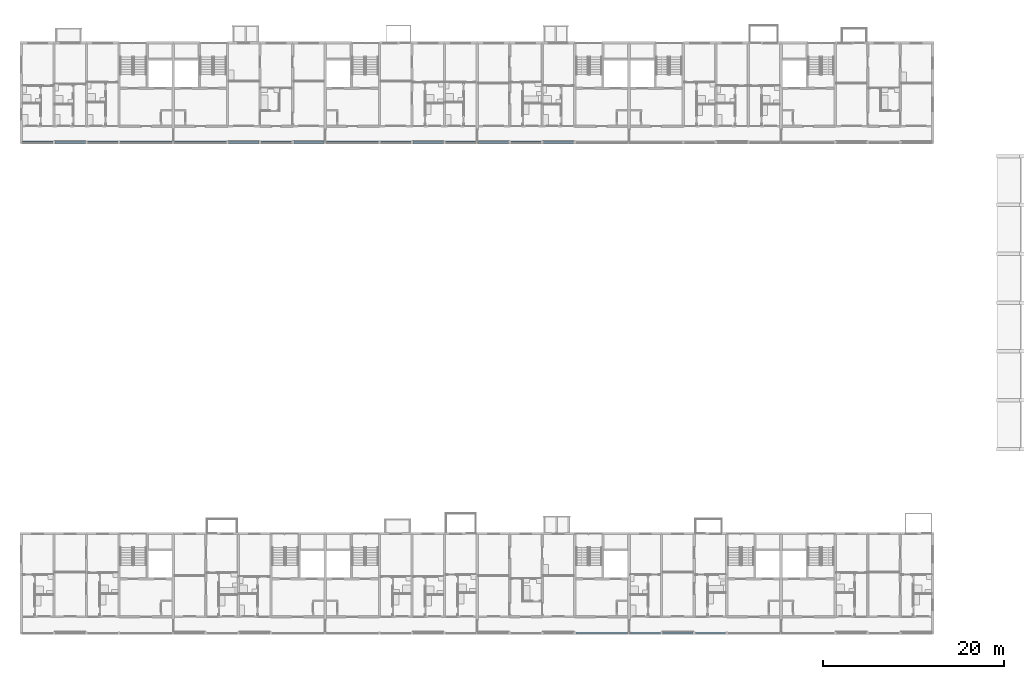
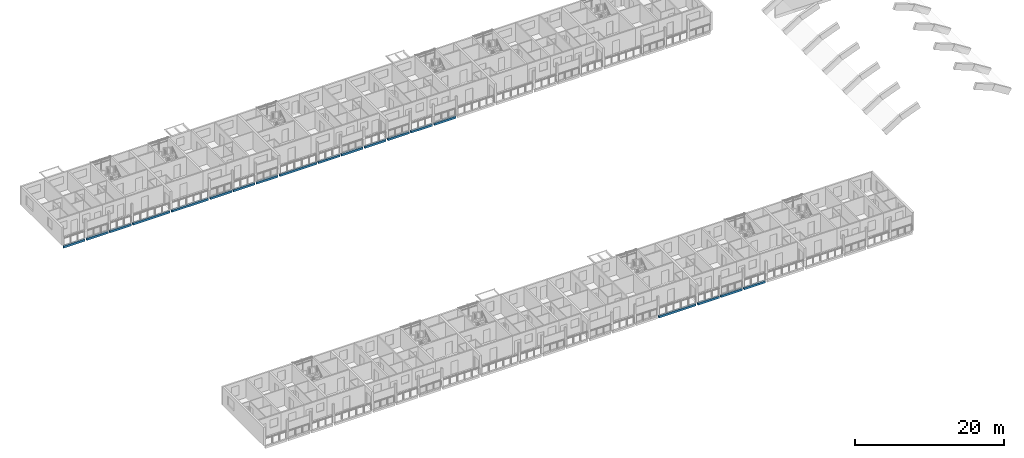
# One storey, part 7 of 99: 19 beams.
"""IFC4 building model written with IfcOpenShell, lengths in metres."""

from ifc_helpers import new_model, si_unit, direction, frame, origin, origin_2d, place, context, subcontext, project, spatial, rectangle, extrude, material, material_profile, profile_set, type_object, element, save


model = new_model("IFC4")

# Units and contexts
model_context = context("Model", 3, precision=1e-05, world=origin(), true_north=direction((0.0, 1.0)))
body_context = subcontext(model_context, "Body", "Model", "MODEL_VIEW")
ifc_project = project(units=[si_unit("LENGTHUNIT", "METRE"), si_unit("AREAUNIT", "SQUARE_METRE"), si_unit("VOLUMEUNIT", "CUBIC_METRE"), si_unit("PLANEANGLEUNIT", "RADIAN"), si_unit("MASSUNIT", "GRAM", prefix="KILO")], contexts=[model_context])

# Site, building, storey
site_placement = place(None, origin())
site = spatial("IfcSite", under=ifc_project, at=site_placement, CompositionType="ELEMENT")
building_placement = place(site_placement, origin())
building = spatial("IfcBuilding", under=site, at=building_placement, Name="Ridgestep Commons", CompositionType="ELEMENT")
storey_placement = place(building_placement, frame((0.0, 0.0, 15.0)))
storey = spatial("IfcBuildingStorey", under=building, at=storey_placement, Name="L05", CompositionType="ELEMENT", Elevation=15.0)

# Beams
ifc_material = material(Name="Precast concrete C40/50", Category="concrete")
ifc_material_profile = material_profile(ifc_material, rectangle(XDim=0.25, YDim=0.35009765625, at=origin_2d()), Name="PC 250x350")
ifc_profile_set = profile_set([ifc_material_profile], Name="Precast concrete C40/50")
beam_type = type_object("IfcBeamType", Name="Loggia edge beam 250 x 350", PredefinedType="SPANDREL", material=ifc_profile_set)
beam_1_placement = place(storey_placement, frame((73.324951171875, 11.875, -0.375), z_axis=(1.0, 0.0, 0.0), x_axis=(0.0, 1.0, 0.0)))
element("IfcBeam", 1, at=beam_1_placement, inside=storey, type_object=beam_type, Name="Loggia edge beam A4C L05", PredefinedType="SPANDREL", context=body_context, shape_type="SweptSolid", body=[
    extrude(rectangle(XDim=0.25, YDim=0.35009765625, at=origin_2d()), origin(), (0.0, 0.0, 1.0), 5.72509765625),
])
beam_2_placement = place(storey_placement, frame((79.35009765625, 11.875, -0.375), z_axis=(1.0, 0.0, 0.0), x_axis=(0.0, 1.0, 0.0)))
element("IfcBeam", 2, at=beam_2_placement, inside=storey, type_object=beam_type, Name="Loggia edge beam A5T1 L05", PredefinedType="SPANDREL", context=body_context, shape_type="SweptSolid", body=[
    extrude(rectangle(XDim=0.25, YDim=0.35009765625, at=origin_2d()), origin(), (0.0, 0.0, 1.0), 3.324951171875),
])
beam_3_placement = place(storey_placement, frame((82.925048828125, 11.875, -0.375), z_axis=(1.0, 0.0, 0.0), x_axis=(0.0, 1.0, 0.0)))
element("IfcBeam", 3, at=beam_3_placement, inside=storey, type_object=beam_type, Name="Loggia edge beam A5T2 L05", PredefinedType="SPANDREL", context=body_context, shape_type="SweptSolid", body=[
    extrude(rectangle(XDim=0.25, YDim=0.35009765625, at=origin_2d()), origin(), (0.0, 0.0, 1.0), 3.349853515625),
])
beam_4_placement = place(storey_placement, frame((86.52490234375, 11.875, -0.375), z_axis=(1.0, 0.0, 0.0), x_axis=(0.0, 1.0, 0.0)))
element("IfcBeam", 4, at=beam_4_placement, inside=storey, type_object=beam_type, Name="Loggia edge beam A5T3 L05", PredefinedType="SPANDREL", context=body_context, shape_type="SweptSolid", body=[
    extrude(rectangle(XDim=0.25, YDim=0.35009765625, at=origin_2d()), origin(), (0.0, 0.0, 1.0), 3.35009765625),
])
beam_5_placement = place(storey_placement, frame((12.14990234375, 66.125, -0.375), z_axis=(1.0, 0.0, 0.0), x_axis=(0.0, 1.0, 0.0)))
element("IfcBeam", 5, at=beam_5_placement, inside=storey, type_object=beam_type, Name="Loggia edge beam B1T1 L05", PredefinedType="SPANDREL", context=body_context, shape_type="SweptSolid", body=[
    extrude(rectangle(XDim=0.25, YDim=0.35009765625, at=origin_2d()), origin(), (0.0, 0.0, 1.0), 3.3251953125),
])
beam_6_placement = place(storey_placement, frame((15.72509765625, 66.125, -0.375), z_axis=(1.0, 0.0, 0.0), x_axis=(0.0, 1.0, 0.0)))
element("IfcBeam", 6, at=beam_6_placement, inside=storey, type_object=beam_type, Name="Loggia edge beam B1T2 L05", PredefinedType="SPANDREL", context=body_context, shape_type="SweptSolid", body=[
    extrude(rectangle(XDim=0.25, YDim=0.35009765625, at=origin_2d()), origin(), (0.0, 0.0, 1.0), 3.349853515625),
])
beam_7_placement = place(storey_placement, frame((19.324951171875, 66.125, -0.375), z_axis=(1.0, 0.0, 0.0), x_axis=(0.0, 1.0, 0.0)))
element("IfcBeam", 7, at=beam_7_placement, inside=storey, type_object=beam_type, Name="Loggia edge beam B1T3 L05", PredefinedType="SPANDREL", context=body_context, shape_type="SweptSolid", body=[
    extrude(rectangle(XDim=0.25, YDim=0.35009765625, at=origin_2d()), origin(), (0.0, 0.0, 1.0), 3.35009765625),
])
beam_8_placement = place(storey_placement, frame((22.925048828125, 66.125, -0.375), z_axis=(1.0, 0.0, 0.0), x_axis=(0.0, 1.0, 0.0)))
element("IfcBeam", 8, at=beam_8_placement, inside=storey, type_object=beam_type, Name="Loggia edge beam B1C L05", PredefinedType="SPANDREL", context=body_context, shape_type="SweptSolid", body=[
    extrude(rectangle(XDim=0.25, YDim=0.35009765625, at=origin_2d()), origin(), (0.0, 0.0, 1.0), 5.724853515625),
])
beam_9_placement = place(storey_placement, frame((28.949951171875, 66.125, -0.375), z_axis=(1.0, 0.0, 0.0), x_axis=(0.0, 1.0, 0.0)))
element("IfcBeam", 9, at=beam_9_placement, inside=storey, type_object=beam_type, Name="Loggia edge beam B2C L05", PredefinedType="SPANDREL", context=body_context, shape_type="SweptSolid", body=[
    extrude(rectangle(XDim=0.25, YDim=0.35009765625, at=origin_2d()), origin(), (0.0, 0.0, 1.0), 5.72509765625),
])
beam_10_placement = place(storey_placement, frame((34.925048828125, 66.125, -0.375), z_axis=(1.0, 0.0, 0.0), x_axis=(0.0, 1.0, 0.0)))
element("IfcBeam", 10, at=beam_10_placement, inside=storey, type_object=beam_type, Name="Loggia edge beam B2T3 L05", PredefinedType="SPANDREL", context=body_context, shape_type="SweptSolid", body=[
    extrude(rectangle(XDim=0.25, YDim=0.35009765625, at=origin_2d()), origin(), (0.0, 0.0, 1.0), 3.349853515625),
])
beam_11_placement = place(storey_placement, frame((38.52490234375, 66.125, -0.375), z_axis=(1.0, 0.0, 0.0), x_axis=(0.0, 1.0, 0.0)))
element("IfcBeam", 11, at=beam_11_placement, inside=storey, type_object=beam_type, Name="Loggia edge beam B2T2 L05", PredefinedType="SPANDREL", context=body_context, shape_type="SweptSolid", body=[
    extrude(rectangle(XDim=0.25, YDim=0.35009765625, at=origin_2d()), origin(), (0.0, 0.0, 1.0), 3.35009765625),
])
beam_12_placement = place(storey_placement, frame((42.125, 66.125, -0.375), z_axis=(1.0, 0.0, 0.0), x_axis=(0.0, 1.0, 0.0)))
element("IfcBeam", 12, at=beam_12_placement, inside=storey, type_object=beam_type, Name="Loggia edge beam B2T1 L05", PredefinedType="SPANDREL", context=body_context, shape_type="SweptSolid", body=[
    extrude(rectangle(XDim=0.25, YDim=0.35009765625, at=origin_2d()), origin(), (0.0, 0.0, 1.0), 3.324951171875),
])
beam_13_placement = place(storey_placement, frame((45.75, 66.125, -0.375), z_axis=(1.0, 0.0, 0.0), x_axis=(0.0, 1.0, 0.0)))
element("IfcBeam", 13, at=beam_13_placement, inside=storey, type_object=beam_type, Name="Loggia edge beam B3C L05", PredefinedType="SPANDREL", context=body_context, shape_type="SweptSolid", body=[
    extrude(rectangle(XDim=0.25, YDim=0.35009765625, at=origin_2d()), origin(), (0.0, 0.0, 1.0), 5.72509765625),
])
beam_14_placement = place(storey_placement, frame((51.72509765625, 66.125, -0.375), z_axis=(1.0, 0.0, 0.0), x_axis=(0.0, 1.0, 0.0)))
element("IfcBeam", 14, at=beam_14_placement, inside=storey, type_object=beam_type, Name="Loggia edge beam B3T3 L05", PredefinedType="SPANDREL", context=body_context, shape_type="SweptSolid", body=[
    extrude(rectangle(XDim=0.25, YDim=0.35009765625, at=origin_2d()), origin(), (0.0, 0.0, 1.0), 3.349853515625),
])
beam_15_placement = place(storey_placement, frame((55.324951171875, 66.125, -0.375), z_axis=(1.0, 0.0, 0.0), x_axis=(0.0, 1.0, 0.0)))
element("IfcBeam", 15, at=beam_15_placement, inside=storey, type_object=beam_type, Name="Loggia edge beam B3T2 L05", PredefinedType="SPANDREL", context=body_context, shape_type="SweptSolid", body=[
    extrude(rectangle(XDim=0.25, YDim=0.35009765625, at=origin_2d()), origin(), (0.0, 0.0, 1.0), 3.35009765625),
])
for number, where, z_axis, x_axis, name in (
    (16, (58.925048828125, 66.125, -0.375), (1.0, 0.0, 0.0), (0.0, 1.0, 0.0), "Loggia edge beam B3T1 L05"),
    (17, (62.550048828125, 66.125, -0.375), (1.0, 0.0, 0.0), (0.0, 1.0, 0.0), "Loggia edge beam B4T1 L05"),
):
    element("IfcBeam", number, at=place(storey_placement, frame(where, z_axis=z_axis, x_axis=x_axis)), inside=storey, type_object=beam_type, Name=name, PredefinedType="SPANDREL", context=body_context, shape_type="SweptSolid", body=[
        extrude(rectangle(XDim=0.25, YDim=0.35009765625, at=origin_2d()), origin(), (0.0, 0.0, 1.0), 3.324951171875),
    ])
beam_16_placement = place(storey_placement, frame((66.125, 66.125, -0.375), z_axis=(1.0, 0.0, 0.0), x_axis=(0.0, 1.0, 0.0)))
element("IfcBeam", 18, at=beam_16_placement, inside=storey, type_object=beam_type, Name="Loggia edge beam B4T2 L05", PredefinedType="SPANDREL", context=body_context, shape_type="SweptSolid", body=[
    extrude(rectangle(XDim=0.25, YDim=0.35009765625, at=origin_2d()), origin(), (0.0, 0.0, 1.0), 3.35009765625),
])
beam_17_placement = place(storey_placement, frame((69.72509765625, 66.125, -0.375), z_axis=(1.0, 0.0, 0.0), x_axis=(0.0, 1.0, 0.0)))
element("IfcBeam", 19, at=beam_17_placement, inside=storey, type_object=beam_type, Name="Loggia edge beam B4T3 L05", PredefinedType="SPANDREL", context=body_context, shape_type="SweptSolid", body=[
    extrude(rectangle(XDim=0.25, YDim=0.35009765625, at=origin_2d()), origin(), (0.0, 0.0, 1.0), 3.349853515625),
])

save(model, "model.ifc")
